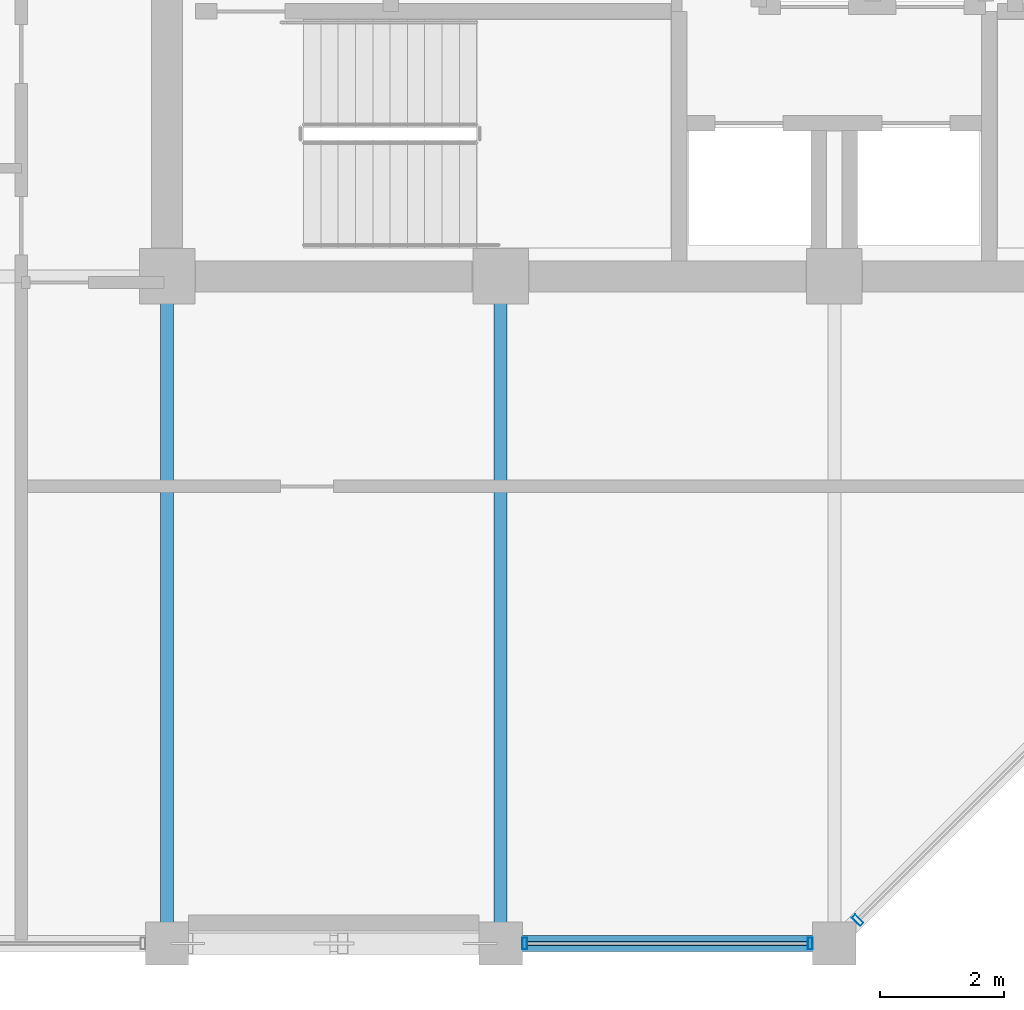
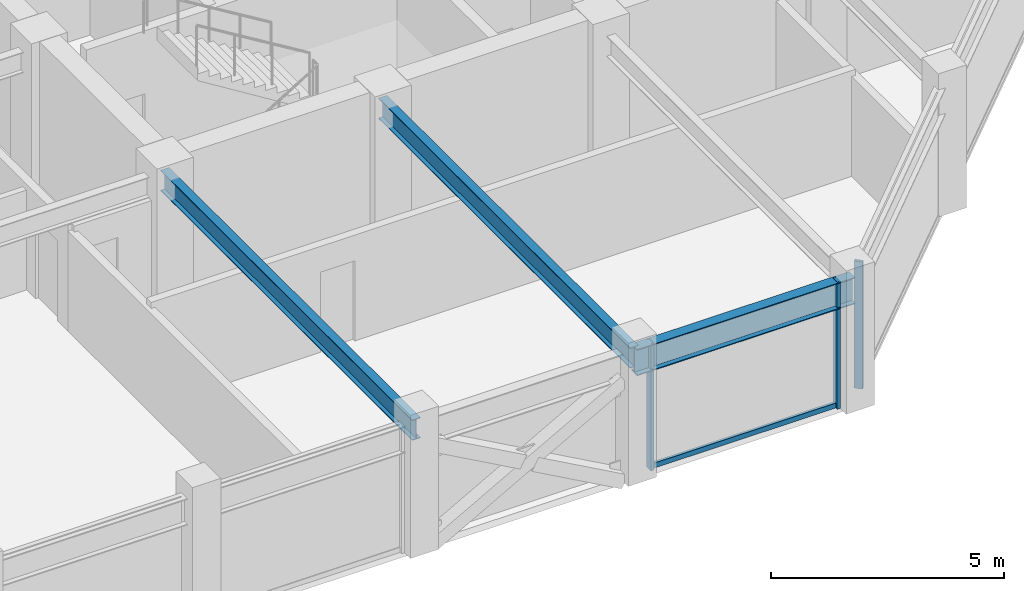
# One storey, part 6 of 31: 4 members, 3 beams, 2 elements without a shape of their own.
"""IFC4 building model written with IfcOpenShell, lengths in metres."""

from ifc_helpers import new_model, si_unit, direction, frame, origin, origin_2d, place, context, subcontext, project, spatial, hollow_rectangle, i_section, extrude, material, layer, layer_set, material_profile, profile_set, type_object, element, aggregate, save


model = new_model("IFC4")

# Units and contexts
model_context = context("Model", 3, precision=1e-05, world=origin(), true_north=direction((0.0, 1.0)))
body_context = subcontext(model_context, "Body", "Model", "MODEL_VIEW")
ifc_project = project(units=[si_unit("LENGTHUNIT", "METRE"), si_unit("AREAUNIT", "SQUARE_METRE"), si_unit("VOLUMEUNIT", "CUBIC_METRE"), si_unit("PLANEANGLEUNIT", "RADIAN"), si_unit("MASSUNIT", "GRAM", prefix="KILO")], contexts=[model_context])

# Site, building, storey
site_placement = place(None, origin())
site = spatial("IfcSite", under=ifc_project, at=site_placement, CompositionType="ELEMENT")
building_placement = place(site_placement, origin())
building = spatial("IfcBuilding", under=site, at=building_placement, Name="Surkhivell Harbour Commons", CompositionType="ELEMENT")
storey_placement = place(building_placement, frame((0.0, 0.0, 333.75)))
storey = spatial("IfcBuildingStorey", under=building, at=storey_placement, Name="L87", CompositionType="ELEMENT", Elevation=333.75)

# Beams
ifc_material_1 = material(Name="Steel S355", Category="steel")
ifc_material_profile_1 = material_profile(ifc_material_1, i_section(OverallWidth=0.2099609375, OverallDepth=0.537109375, WebThickness=0.0107421875, FlangeThickness=0.017333984375, at=origin_2d()), Name="UB533x210x101")
ifc_profile_set_1 = profile_set([ifc_material_profile_1], Name="Steel S355")
beam_type_1 = type_object("IfcBeamType", Name="BM-GRD-533B", PredefinedType="BEAM", material=ifc_profile_set_1)
for number, where, z_axis, x_axis, name in (
    (1, (-10.800048828125, -21.60009765625, 3.0615234375), (0.0, 1.0, 0.0), (-1.0, 0.0, 0.0), "L87 Floor Girder (-10.8,-21.6)"),
    (2, (-5.39990234375, -21.60009765625, 3.0615234375), (0.0, 1.0, 0.0), (-1.0, 0.0, 0.0), "L87 Floor Girder (-5.4,-21.6)"),
):
    element("IfcBeam", number, at=place(storey_placement, frame(where, z_axis=z_axis, x_axis=x_axis)), inside=storey, type_object=beam_type_1, Name=name, PredefinedType="BEAM", context=body_context, shape_type="SweptSolid", body=[
        extrude(i_section(OverallWidth=0.2099609375, OverallDepth=0.537109375, WebThickness=0.0107421875, FlangeThickness=0.017333984375, at=origin_2d()), origin(), (0.0, 0.0, 1.0), 10.800048828125),
    ])
ifc_material_profile_2 = material_profile(ifc_material_1, i_section(OverallWidth=0.256103515625, OverallDepth=0.693115234375, WebThickness=0.014404296875, FlangeThickness=0.023681640625, at=origin_2d()), Name="UB686x254x170")
ifc_profile_set_2 = profile_set([ifc_material_profile_2], Name="Steel S355")
beam_type_2 = type_object("IfcBeamType", Name="BM-SPN-686", PredefinedType="SPANDREL", material=ifc_profile_set_2)
beam_placement = place(storey_placement, frame((-5.39990234375, -21.60009765625, 2.9833984375), z_axis=(1.0, 0.0, 0.0), x_axis=(0.0, 1.0, 0.0)))
element("IfcBeam", 3, at=beam_placement, inside=storey, type_object=beam_type_2, Name="L87 Tube Spandrel (-5.4,-21.6)", PredefinedType="SPANDREL", context=body_context, shape_type="SweptSolid", body=[
    extrude(i_section(OverallWidth=0.256103515625, OverallDepth=0.693115234375, WebThickness=0.014404296875, FlangeThickness=0.023681640625, at=origin_2d()), origin(), (0.0, 0.0, 1.0), 5.39990234375),
])

# Curtain wall, members
ifc_material_2 = material(Name="Anodised pale-metal aluminium and insulated glazing", Category="aluminium")
ifc_layer = layer(ifc_material_2, 0.175048828125)
ifc_layer_set = layer_set([ifc_layer], Name="Anodised pale-metal aluminium and insulated glazing")
curtain_wall_type = type_object("IfcCurtainWallType", Name="CW-SYS-Z4", PredefinedType="NOTDEFINED", material=ifc_layer_set)
curtain_wall_1_placement = place(storey_placement, origin())
curtain_wall_1 = element("IfcCurtainWall", 4, at=curtain_wall_1_placement, inside=storey, type_object=curtain_wall_type, Name="L87 Curtain Wall CW-L87-E00S2", PredefinedType="NOTDEFINED")
ifc_material_3 = material(Name="Anodised pale-metal aluminium alloy 6063-T6", Category="aluminium")
ifc_material_profile_3 = material_profile(ifc_material_3, hollow_rectangle(XDim=0.074951171875, YDim=0.18994140625, WallThickness=0.00390625, at=origin_2d()), Name="ALU-MULL-75x190")
ifc_profile_set_3 = profile_set([ifc_material_profile_3], Name="Anodised pale-metal aluminium alloy 6063-T6")
member_type_1 = type_object("IfcMemberType", Name="CWM-190", PredefinedType="MULLION", material=ifc_profile_set_3)
member_1_placement = place(storey_placement, frame((-5.010498046875, -21.60009765625, 0.0), z_axis=(0.0, 0.0, 1.0), x_axis=(1.0, 0.0, 0.0)))
member_1 = element("IfcMember", 5, at=member_1_placement, type_object=member_type_1, Name="CW-Z4 mullion 1", PredefinedType="MULLION", context=body_context, shape_type="SweptSolid", body=[
    extrude(hollow_rectangle(XDim=0.074951171875, YDim=0.18994140625, WallThickness=0.00390625, at=origin_2d()), origin(), (0.0, 0.0, 1.0), 3.330078125),
])
member_2_placement = place(storey_placement, frame((-0.389404296875, -21.60009765625, 0.0), z_axis=(0.0, 0.0, 1.0), x_axis=(1.0, 0.0, 0.0)))
member_2 = element("IfcMember", 6, at=member_2_placement, type_object=member_type_1, Name="CW-Z4 mullion 2", PredefinedType="MULLION", context=body_context, shape_type="SweptSolid", body=[
    extrude(hollow_rectangle(XDim=0.074951171875, YDim=0.18994140625, WallThickness=0.00390625, at=origin_2d()), origin(), (0.0, 0.0, 1.0), 3.330078125),
])

# Curtain wall, member
curtain_wall_2_placement = place(storey_placement, origin())
curtain_wall_2 = element("IfcCurtainWall", 7, at=curtain_wall_2_placement, inside=storey, type_object=curtain_wall_type, Name="L87 Curtain Wall CW-L87-E01", PredefinedType="NOTDEFINED")
member_3_placement = place(storey_placement, frame((0.378173828125, -21.221923828125, 0.0), z_axis=(0.0, 0.0, 1.0), x_axis=(0.707106781187, 0.707106781187, 0.0)))
member_3 = element("IfcMember", 8, at=member_3_placement, type_object=member_type_1, Name="CW-Z4 mullion 1", PredefinedType="MULLION", context=body_context, shape_type="SweptSolid", body=[
    extrude(hollow_rectangle(XDim=0.074951171875, YDim=0.18994140625, WallThickness=0.00390625, at=origin_2d()), origin(), (0.0, 0.0, 1.0), 3.330078125),
])
aggregate(curtain_wall_2, [member_3])

# Member
ifc_material_4 = material(Name="Champagne anodised aluminium alloy 6063-T6", Category="aluminium")
ifc_material_profile_4 = material_profile(ifc_material_4, hollow_rectangle(XDim=0.070068359375, YDim=0.1298828125, WallThickness=0.00341796875, at=origin_2d()), Name="ALU-TRAN-70x130")
ifc_profile_set_4 = profile_set([ifc_material_profile_4], Name="Champagne anodised aluminium alloy 6063-T6")
member_type_2 = type_object("IfcMemberType", Name="CWT-130", PredefinedType="USERDEFINED", material=ifc_profile_set_4)
member_4_placement = place(storey_placement, frame((-4.972900390625, -21.60009765625, 0.06494140625), z_axis=(1.0, 0.0, 0.0), x_axis=(0.0, 1.0, 0.0)))
member_4 = element("IfcMember", 9, at=member_4_placement, type_object=member_type_2, Name="CW-Z4 transom 1.1", ObjectType="TRANSOM", PredefinedType="USERDEFINED", context=body_context, shape_type="SweptSolid", body=[
    extrude(hollow_rectangle(XDim=0.070068359375, YDim=0.1298828125, WallThickness=0.00341796875, at=origin_2d()), origin(), (0.0, 0.0, 1.0), 4.5458984375),
])

aggregate(curtain_wall_1, [member_1, member_2, member_4])

save(model, "model.ifc")
